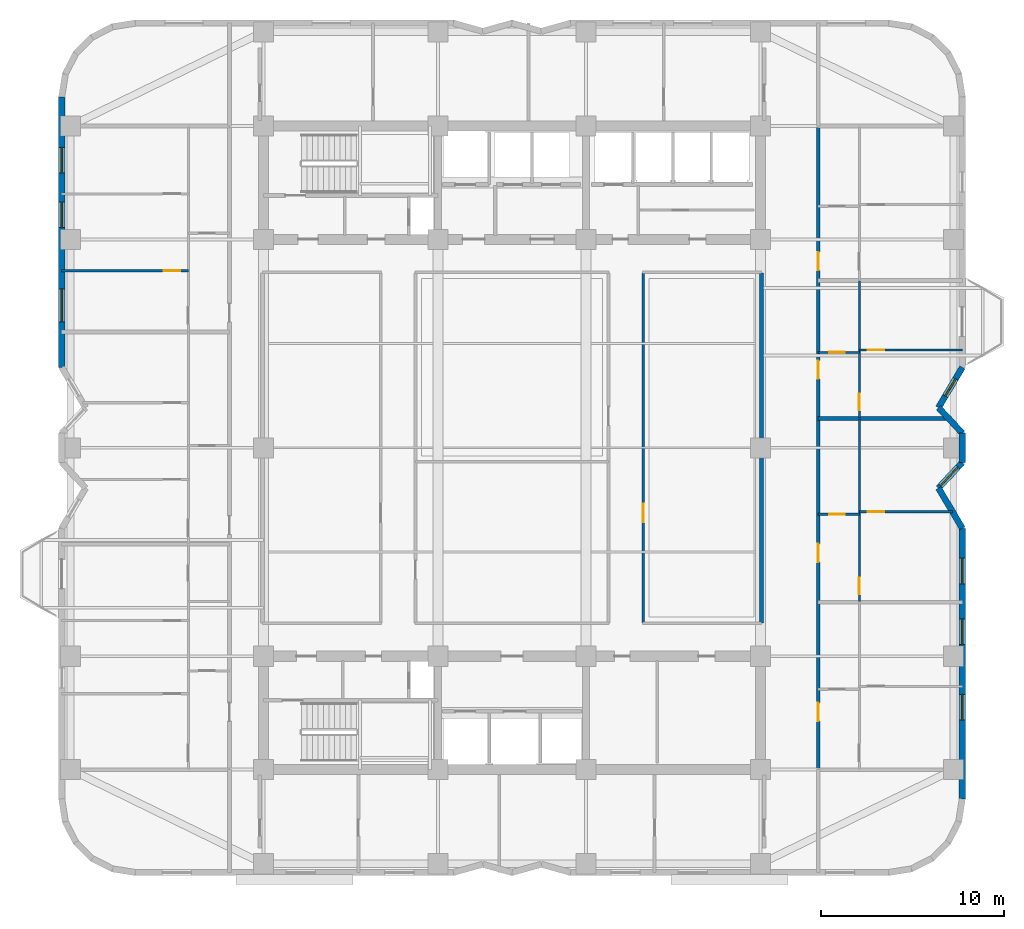
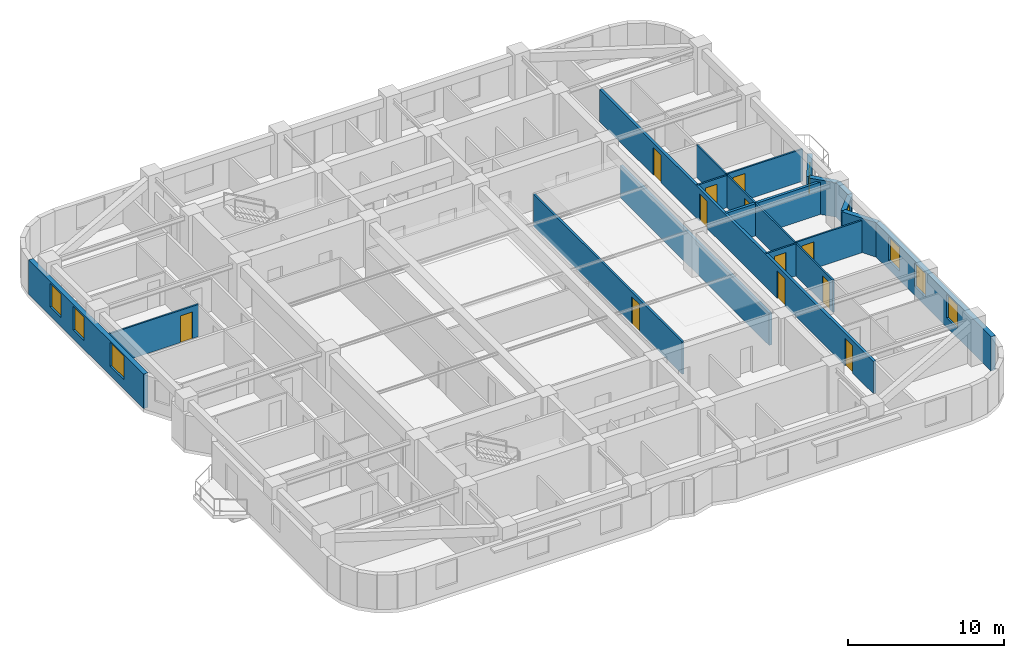
# One storey, part 5 of 11: 18 walls, 12 doors, 8 windows, 20 openings.
"""IFC4 building model written with IfcOpenShell, lengths in metres."""

from ifc_helpers import new_model, si_unit, direction, frame, frame_2d, origin, place, context, subcontext, project, spatial, rectangle, extrude, material, layer, layer_set, type_object, element, fill, save


model = new_model("IFC4")

# Units and contexts
model_context = context("Model", 3, precision=1e-05, world=origin(), true_north=direction((0.0, 1.0)))
body_context = subcontext(model_context, "Body", "Model", "MODEL_VIEW")
ifc_project = project(units=[si_unit("LENGTHUNIT", "METRE"), si_unit("AREAUNIT", "SQUARE_METRE"), si_unit("VOLUMEUNIT", "CUBIC_METRE"), si_unit("PLANEANGLEUNIT", "RADIAN"), si_unit("MASSUNIT", "GRAM", prefix="KILO")], contexts=[model_context])

# Site, building, storey
site_placement = place(None, origin())
site = spatial("IfcSite", under=ifc_project, at=site_placement, CompositionType="ELEMENT")
building_placement = place(site_placement, origin())
building = spatial("IfcBuilding", under=site, at=building_placement, Name="Svetorya Sky Lyceum", CompositionType="ELEMENT")
storey_placement = place(building_placement, frame((0.0, 0.0, 106.800048828125)))
storey = spatial("IfcBuildingStorey", under=building, at=storey_placement, Name="L26", CompositionType="ELEMENT", Elevation=106.800048828125)

# Wall, openings, windows
ifc_material_1 = material(Name="Putilovo limestone rainscreen on autoclaved cellular masonry", Category="masonry")
ifc_layer_1 = layer(ifc_material_1, 0.340087890625)
ifc_layer_set_1 = layer_set([ifc_layer_1], Name="Putilovo limestone rainscreen on autoclaved cellular masonry")
wall_type_1 = type_object("IfcWallType", Name="WL-EXT-340", PredefinedType="SOLIDWALL", material=ifc_layer_set_1)
wall_1_placement = place(storey_placement, frame((63.830078125, 9.0, 0.0), z_axis=(0.0, 0.0, 1.0), x_axis=(0.0, 1.0, 0.0)))
wall_1 = element("IfcWall", 1, at=wall_1_placement, inside=storey, type_object=wall_type_1, Name="L26 Limestone Exterior Wall 17M", PredefinedType="SOLIDWALL", context=body_context, shape_type="SweptSolid", body=[
    extrude(rectangle(XDim=14.800048828125, YDim=0.340087890625, at=frame_2d((7.39990234375, 0.0))), origin(), (0.0, 0.0, 1.0), 2.699951171875),
])
opening_1_placement = place(wall_1_placement, frame((4.3125, 0.0, 0.72998046875)))
opening_1 = element("IfcOpeningElement", 2, at=opening_1_placement, cuts=wall_1, Name="Opening W-R2", PredefinedType="OPENING", context=body_context, shape_type="SweptSolid", body=[
    extrude(rectangle(XDim=1.39990234375, YDim=1.85009765625, at=frame_2d((0.699951171875, 0.925048828125))), frame((0.0, 0.179931640625, 0.0), z_axis=(0.0, -1.0, 0.0), x_axis=(1.0, 0.0, 0.0)), (0.0, 0.0, 1.0), 0.360107421875),
])
opening_2_placement = place(wall_1_placement, frame((8.43994140625, 0.0, 0.68994140625)))
opening_2 = element("IfcOpeningElement", 3, at=opening_2_placement, cuts=wall_1, Name="Opening W-R2", PredefinedType="OPENING", context=body_context, shape_type="SweptSolid", body=[
    extrude(rectangle(XDim=1.39990234375, YDim=1.85009765625, at=frame_2d((0.699951171875, 0.925048828125))), frame((0.0, 0.179931640625, 0.0), z_axis=(0.0, -1.0, 0.0), x_axis=(1.0, 0.0, 0.0)), (0.0, 0.0, 1.0), 0.360107421875),
])
opening_3_placement = place(wall_1_placement, frame((11.762451171875, 0.0, 0.72998046875)))
opening_3 = element("IfcOpeningElement", 4, at=opening_3_placement, cuts=wall_1, Name="Opening W-R2", PredefinedType="OPENING", context=body_context, shape_type="SweptSolid", body=[
    extrude(rectangle(XDim=1.39990234375, YDim=1.85009765625, at=frame_2d((0.699951171875, 0.925048828125))), frame((0.0, 0.179931640625, 0.0), z_axis=(0.0, -1.0, 0.0), x_axis=(1.0, 0.0, 0.0)), (0.0, 0.0, 1.0), 0.360107421875),
])
ifc_material_2 = material(Name="Thermally broken aluminium frame with triple low-E glazing", Category="aluminium")
window_type_1 = type_object("IfcWindowType", Name="WN-RES-140", PartitioningType="SINGLE_PANEL", PredefinedType="WINDOW", material=ifc_material_2)
window_1_placement = place(opening_1_placement, origin())
window_1 = element("IfcWindow", 5, at=window_1_placement, inside=storey, type_object=window_type_1, Name="L26 Facade Window W-R2.17M.1", OverallHeight=1.85009765625, OverallWidth=1.39990234375, PartitioningType="SINGLE_PANEL", PredefinedType="WINDOW", context=body_context, shape_type="SweptSolid", body=[
    extrude(rectangle(XDim=1.39990234375, YDim=1.85009765625, at=frame_2d((0.699951171875, 0.925048828125))), frame((0.0, 0.030029296875, 0.0), z_axis=(0.0, -1.0, 0.0), x_axis=(1.0, 0.0, 0.0)), (0.0, 0.0, 1.0), 0.06005859375),
])
fill(opening_1, window_1)
window_2_placement = place(opening_2_placement, origin())
window_2 = element("IfcWindow", 6, at=window_2_placement, inside=storey, type_object=window_type_1, Name="L26 Facade Window W-R2.17M.3", OverallHeight=1.85009765625, OverallWidth=1.39990234375, PartitioningType="SINGLE_PANEL", PredefinedType="WINDOW", context=body_context, shape_type="SweptSolid", body=[
    extrude(rectangle(XDim=1.39990234375, YDim=1.85009765625, at=frame_2d((0.699951171875, 0.925048828125))), frame((0.0, 0.030029296875, 0.0), z_axis=(0.0, -1.0, 0.0), x_axis=(1.0, 0.0, 0.0)), (0.0, 0.0, 1.0), 0.06005859375),
])
fill(opening_2, window_2)
window_3_placement = place(opening_3_placement, origin())
window_3 = element("IfcWindow", 7, at=window_3_placement, inside=storey, type_object=window_type_1, Name="L26 Facade Window W-R2.17M.2", OverallHeight=1.85009765625, OverallWidth=1.39990234375, PartitioningType="SINGLE_PANEL", PredefinedType="WINDOW", context=body_context, shape_type="SweptSolid", body=[
    extrude(rectangle(XDim=1.39990234375, YDim=1.85009765625, at=frame_2d((0.699951171875, 0.925048828125))), frame((0.0, 0.030029296875, 0.0), z_axis=(0.0, -1.0, 0.0), x_axis=(1.0, 0.0, 0.0)), (0.0, 0.0, 1.0), 0.06005859375),
])
fill(opening_3, window_3)

# Wall
wall_2_placement = place(storey_placement, frame((63.830078125, 23.800048828125, 0.0), z_axis=(0.0, 0.0, 1.0), x_axis=(-0.508751843651, 0.860913213734, 0.0)))
element("IfcWall", 8, at=wall_2_placement, inside=storey, type_object=wall_type_1, Name="L26 Limestone Exterior Wall 18M", PredefinedType="SOLIDWALL", context=body_context, shape_type="SweptSolid", body=[
    extrude(rectangle(XDim=2.555419921875, YDim=0.340087890625, at=frame_2d((1.27783203125, 0.0))), origin(), (0.0, 0.0, 1.0), 2.699951171875),
])

# Wall, opening, window
wall_3_placement = place(storey_placement, frame((62.530029296875, 26.0, 0.0), z_axis=(0.0, 0.0, 1.0), x_axis=(0.68049031116, 0.732757078722, 0.0)))
wall_3 = element("IfcWall", 9, at=wall_3_placement, inside=storey, type_object=wall_type_1, Name="L26 Limestone Exterior Wall 19M", PredefinedType="SOLIDWALL", context=body_context, shape_type="SweptSolid", body=[
    extrude(rectangle(XDim=1.910400390625, YDim=0.340087890625, at=frame_2d((0.955078125, 0.0))), origin(), (0.0, 0.0, 1.0), 2.699951171875),
])
opening_4_placement = place(wall_3_placement, frame((0.159912109375, 0.0, 0.68994140625)))
opening_4 = element("IfcOpeningElement", 10, at=opening_4_placement, cuts=wall_3, Name="Opening W-R2", PredefinedType="OPENING", context=body_context, shape_type="SweptSolid", body=[
    extrude(rectangle(XDim=1.39990234375, YDim=1.85009765625, at=frame_2d((0.699951171875, 0.925048828125))), frame((0.0, 0.179931640625, 0.0), z_axis=(0.0, -1.0, 0.0), x_axis=(1.0, 0.0, 0.0)), (0.0, 0.0, 1.0), 0.360107421875),
])
window_4_placement = place(opening_4_placement, origin())
window_4 = element("IfcWindow", 11, at=window_4_placement, inside=storey, type_object=window_type_1, Name="L26 Facade Window W-R2.19M.1", OverallHeight=1.85009765625, OverallWidth=1.39990234375, PartitioningType="SINGLE_PANEL", PredefinedType="WINDOW", context=body_context, shape_type="SweptSolid", body=[
    extrude(rectangle(XDim=1.39990234375, YDim=1.85009765625, at=frame_2d((0.699951171875, 0.925048828125))), frame((0.0, 0.030029296875, 0.0), z_axis=(0.0, -1.0, 0.0), x_axis=(1.0, 0.0, 0.0)), (0.0, 0.0, 1.0), 0.06005859375),
])
fill(opening_4, window_4)

# Walls
wall_4_placement = place(storey_placement, frame((63.830078125, 27.39990234375, 0.0), z_axis=(0.0, 0.0, 1.0), x_axis=(0.0, 1.0, 0.0)))
element("IfcWall", 12, at=wall_4_placement, inside=storey, type_object=wall_type_1, Name="L26 Limestone Exterior Wall 20M", PredefinedType="SOLIDWALL", context=body_context, shape_type="SweptSolid", body=[
    extrude(rectangle(XDim=1.60009765625, YDim=0.340087890625, at=frame_2d((0.800048828125, 0.0))), origin(), (0.0, 0.0, 1.0), 2.699951171875),
])
wall_5_placement = place(storey_placement, frame((63.830078125, 29.0, 0.0), z_axis=(0.0, 0.0, 1.0), x_axis=(-0.68049031116, 0.732757078722, 0.0)))
element("IfcWall", 13, at=wall_5_placement, inside=storey, type_object=wall_type_1, Name="L26 Limestone Exterior Wall 21M", PredefinedType="SOLIDWALL", context=body_context, shape_type="SweptSolid", body=[
    extrude(rectangle(XDim=1.910400390625, YDim=0.340087890625, at=frame_2d((0.955078125, 0.0))), origin(), (0.0, 0.0, 1.0), 2.699951171875),
])

# Wall, opening, window
wall_6_placement = place(storey_placement, frame((62.530029296875, 30.39990234375, 0.0), z_axis=(0.0, 0.0, 1.0), x_axis=(0.508710000703, 0.860937939218, 0.0)))
wall_6 = element("IfcWall", 14, at=wall_6_placement, inside=storey, type_object=wall_type_1, Name="L26 Limestone Exterior Wall 22M", PredefinedType="SOLIDWALL", context=body_context, shape_type="SweptSolid", body=[
    extrude(rectangle(XDim=2.5556640625, YDim=0.340087890625, at=frame_2d((1.27783203125, 0.0))), origin(), (0.0, 0.0, 1.0), 2.699951171875),
])
opening_5_placement = place(wall_6_placement, frame((0.727783203125, 0.0, 0.889892578125)))
opening_5 = element("IfcOpeningElement", 15, at=opening_5_placement, cuts=wall_6, Name="Opening W-R3", PredefinedType="OPENING", context=body_context, shape_type="SweptSolid", body=[
    extrude(rectangle(XDim=1.10009765625, YDim=1.64990234375, at=frame_2d((0.550048828125, 0.824951171875))), frame((0.0, 0.179931640625, 0.0), z_axis=(0.0, -1.0, 0.0), x_axis=(1.0, 0.0, 0.0)), (0.0, 0.0, 1.0), 0.360107421875),
])
window_type_2 = type_object("IfcWindowType", Name="WN-RES-110", PartitioningType="SINGLE_PANEL", PredefinedType="WINDOW", material=ifc_material_2)
window_5_placement = place(opening_5_placement, origin())
window_5 = element("IfcWindow", 16, at=window_5_placement, inside=storey, type_object=window_type_2, Name="L26 Facade Window W-R3.22M.1", OverallHeight=1.64990234375, OverallWidth=1.10009765625, PartitioningType="SINGLE_PANEL", PredefinedType="WINDOW", context=body_context, shape_type="SweptSolid", body=[
    extrude(rectangle(XDim=1.10009765625, YDim=1.64990234375, at=frame_2d((0.550048828125, 0.824951171875))), frame((0.0, 0.030029296875, 0.0), z_axis=(0.0, -1.0, 0.0), x_axis=(1.0, 0.0, 0.0)), (0.0, 0.0, 1.0), 0.06005859375),
])
fill(opening_5, window_5)

# Wall, openings, windows
wall_7_placement = place(storey_placement, frame((14.570068359375, 47.39990234375, 0.0), z_axis=(0.0, 0.0, 1.0), x_axis=(0.0, -1.0, 0.0)))
wall_7 = element("IfcWall", 17, at=wall_7_placement, inside=storey, type_object=wall_type_1, Name="L26 Limestone Exterior Wall 40M", PredefinedType="SOLIDWALL", context=body_context, shape_type="SweptSolid", body=[
    extrude(rectangle(XDim=14.7998046875, YDim=0.340087890625, at=frame_2d((7.39990234375, 0.0))), origin(), (0.0, 0.0, 1.0), 2.699951171875),
])
opening_6_placement = place(wall_7_placement, frame((2.760009765625, 0.0, 0.68994140625)))
opening_6 = element("IfcOpeningElement", 18, at=opening_6_placement, cuts=wall_7, Name="Opening W-R2", PredefinedType="OPENING", context=body_context, shape_type="SweptSolid", body=[
    extrude(rectangle(XDim=1.39990234375, YDim=1.85009765625, at=frame_2d((0.699951171875, 0.925048828125))), frame((0.0, 0.179931640625, 0.0), z_axis=(0.0, -1.0, 0.0), x_axis=(1.0, 0.0, 0.0)), (0.0, 0.0, 1.0), 0.360107421875),
])
opening_7_placement = place(wall_7_placement, frame((5.760009765625, 0.0, 0.68994140625)))
opening_7 = element("IfcOpeningElement", 19, at=opening_7_placement, cuts=wall_7, Name="Opening W-R2", PredefinedType="OPENING", context=body_context, shape_type="SweptSolid", body=[
    extrude(rectangle(XDim=1.39990234375, YDim=1.85009765625, at=frame_2d((0.699951171875, 0.925048828125))), frame((0.0, 0.179931640625, 0.0), z_axis=(0.0, -1.0, 0.0), x_axis=(1.0, 0.0, 0.0)), (0.0, 0.0, 1.0), 0.360107421875),
])
opening_8_placement = place(wall_7_placement, frame((10.512451171875, 0.0, 0.72998046875)))
opening_8 = element("IfcOpeningElement", 20, at=opening_8_placement, cuts=wall_7, Name="Opening W-R1", PredefinedType="OPENING", context=body_context, shape_type="SweptSolid", body=[
    extrude(rectangle(XDim=1.800048828125, YDim=1.85009765625, at=frame_2d((0.89990234375, 0.925048828125))), frame((0.0, 0.179931640625, 0.0), z_axis=(0.0, -1.0, 0.0), x_axis=(1.0, 0.0, 0.0)), (0.0, 0.0, 1.0), 0.360107421875),
])
window_6_placement = place(opening_6_placement, origin())
window_6 = element("IfcWindow", 21, at=window_6_placement, inside=storey, type_object=window_type_1, Name="L26 Facade Window W-R2.40M.3", OverallHeight=1.85009765625, OverallWidth=1.39990234375, PartitioningType="SINGLE_PANEL", PredefinedType="WINDOW", context=body_context, shape_type="SweptSolid", body=[
    extrude(rectangle(XDim=1.39990234375, YDim=1.85009765625, at=frame_2d((0.699951171875, 0.925048828125))), frame((0.0, 0.030029296875, 0.0), z_axis=(0.0, -1.0, 0.0), x_axis=(1.0, 0.0, 0.0)), (0.0, 0.0, 1.0), 0.06005859375),
])
fill(opening_6, window_6)
window_7_placement = place(opening_7_placement, origin())
window_7 = element("IfcWindow", 22, at=window_7_placement, inside=storey, type_object=window_type_1, Name="L26 Facade Window W-R2.40M.2", OverallHeight=1.85009765625, OverallWidth=1.39990234375, PartitioningType="SINGLE_PANEL", PredefinedType="WINDOW", context=body_context, shape_type="SweptSolid", body=[
    extrude(rectangle(XDim=1.39990234375, YDim=1.85009765625, at=frame_2d((0.699951171875, 0.925048828125))), frame((0.0, 0.030029296875, 0.0), z_axis=(0.0, -1.0, 0.0), x_axis=(1.0, 0.0, 0.0)), (0.0, 0.0, 1.0), 0.06005859375),
])
fill(opening_7, window_7)
window_type_3 = type_object("IfcWindowType", Name="WN-RES-180", PartitioningType="DOUBLE_PANEL_VERTICAL", PredefinedType="WINDOW", material=ifc_material_2)
window_8_placement = place(opening_8_placement, origin())
window_8 = element("IfcWindow", 23, at=window_8_placement, inside=storey, type_object=window_type_3, Name="L26 Facade Window W-R1.40M.1", OverallHeight=1.85009765625, OverallWidth=1.800048828125, PartitioningType="SINGLE_PANEL", PredefinedType="WINDOW", context=body_context, shape_type="SweptSolid", body=[
    extrude(rectangle(XDim=1.800048828125, YDim=1.85009765625, at=frame_2d((0.89990234375, 0.925048828125))), frame((0.0, 0.030029296875, 0.0), z_axis=(0.0, -1.0, 0.0), x_axis=(1.0, 0.0, 0.0)), (0.0, 0.0, 1.0), 0.06005859375),
])
fill(opening_8, window_8)

# Wall, opening, door
ifc_material_3 = material(Name="Twin-stud galvanized framing with double fireboard", Category="gypsum")
ifc_layer_2 = layer(ifc_material_3, 0.1201171875)
ifc_layer_set_2 = layer_set([ifc_layer_2], Name="Twin-stud galvanized framing with double fireboard")
wall_type_2 = type_object("IfcWallType", Name="WL-PART-120", PredefinedType="PARTITIONING", material=ifc_layer_set_2)
wall_8_placement = place(storey_placement, frame((14.570068359375, 37.885986328125, 0.0), z_axis=(0.0, 0.0, 1.0), x_axis=(1.0, 0.0, 0.0)))
wall_8 = element("IfcWall", 24, at=wall_8_placement, inside=storey, type_object=wall_type_2, Name="L26 Interior Partition W3-WL1", PredefinedType="PARTITIONING", context=body_context, shape_type="SweptSolid", body=[
    extrude(rectangle(XDim=6.929931640625, YDim=0.1201171875, at=frame_2d((3.46484375, 0.0))), origin(), (0.0, 0.0, 1.0), 2.530029296875),
])
opening_9_placement = place(wall_8_placement, frame((5.580078125, 0.0, 0.0)))
opening_9 = element("IfcOpeningElement", 25, at=opening_9_placement, cuts=wall_8, Name="Opening D-RM1", PredefinedType="OPENING", context=body_context, shape_type="SweptSolid", body=[
    extrude(rectangle(XDim=0.89990234375, YDim=2.10009765625, at=frame_2d((0.449951171875, 1.050048828125))), frame((0.0, 0.070068359375, 0.0), z_axis=(0.0, -1.0, 0.0), x_axis=(1.0, 0.0, 0.0)), (0.0, 0.0, 1.0), 0.14013671875),
])
ifc_material_4 = material(Name="Lacquered birch veneer internal door")
door_type_1 = type_object("IfcDoorType", Name="DR-INT-900", OperationType="SINGLE_SWING_LEFT", PredefinedType="DOOR", material=ifc_material_4)
door_1_placement = place(opening_9_placement, origin())
door_1 = element("IfcDoor", 26, at=door_1_placement, inside=storey, type_object=door_type_1, Name="Apartment W3 Master Bedroom Door", OperationType="SINGLE_SWING_LEFT", OverallHeight=2.10009765625, OverallWidth=0.89990234375, PredefinedType="DOOR", context=body_context, shape_type="SweptSolid", body=[
    extrude(rectangle(XDim=0.89990234375, YDim=2.10009765625, at=frame_2d((0.449951171875, 1.050048828125))), frame((0.0, 0.02490234375, 0.0), z_axis=(0.0, -1.0, 0.0), x_axis=(1.0, 0.0, 0.0)), (0.0, 0.0, 1.0), 0.050048828125),
])
fill(opening_9, door_1)

wall_9_placement = place(storey_placement, frame((55.949951171875, 24.572021484375, 0.0), z_axis=(0.0, 0.0, 1.0), x_axis=(1.0, 0.0, 0.0)))
wall_9 = element("IfcWall", 27, at=wall_9_placement, inside=storey, type_object=wall_type_2, Name="L26 Interior Partition E2-WH1", PredefinedType="PARTITIONING", context=body_context, shape_type="SweptSolid", body=[
    extrude(rectangle(XDim=2.25, YDim=0.1201171875, at=frame_2d((1.125, 0.0))), origin(), (0.0, 0.0, 1.0), 2.530029296875),
])
opening_10_placement = place(wall_9_placement, frame((0.60009765625, 0.0, 0.0)))
opening_10 = element("IfcOpeningElement", 28, at=opening_10_placement, cuts=wall_9, Name="Opening D-BT1", PredefinedType="OPENING", context=body_context, shape_type="SweptSolid", body=[
    extrude(rectangle(XDim=0.85009765625, YDim=2.10009765625, at=frame_2d((0.425048828125, 1.050048828125))), frame((0.0, 0.070068359375, 0.0), z_axis=(0.0, -1.0, 0.0), x_axis=(1.0, 0.0, 0.0)), (0.0, 0.0, 1.0), 0.14013671875),
])
ifc_material_5 = material(Name="Moisture-resistant laminate bathroom door")
door_type_2 = type_object("IfcDoorType", Name="DR-WET-850", OperationType="SINGLE_SWING_LEFT", PredefinedType="DOOR", material=ifc_material_5)
door_2_placement = place(opening_10_placement, origin())
door_2 = element("IfcDoor", 29, at=door_2_placement, inside=storey, type_object=door_type_2, Name="Apartment E2 Bathroom Door", OperationType="SINGLE_SWING_LEFT", OverallHeight=2.10009765625, OverallWidth=0.85009765625, PredefinedType="DOOR", context=body_context, shape_type="SweptSolid", body=[
    extrude(rectangle(XDim=0.85009765625, YDim=2.10009765625, at=frame_2d((0.425048828125, 1.050048828125))), frame((0.0, 0.02490234375, 0.0), z_axis=(0.0, -1.0, 0.0), x_axis=(1.0, 0.0, 0.0)), (0.0, 0.0, 1.0), 0.050048828125),
])
fill(opening_10, door_2)

wall_10_placement = place(storey_placement, frame((58.199951171875, 24.701904296875, 0.0), z_axis=(0.0, 0.0, 1.0), x_axis=(1.0, 0.0, 0.0)))
wall_10 = element("IfcWall", 30, at=wall_10_placement, inside=storey, type_object=wall_type_2, Name="L26 Interior Partition E2-WL1", PredefinedType="PARTITIONING", context=body_context, shape_type="SweptSolid", body=[
    extrude(rectangle(XDim=5.09716796875, YDim=0.1201171875, at=frame_2d((2.548583984375, 0.0))), origin(), (0.0, 0.0, 1.0), 2.530029296875),
])
opening_11_placement = place(wall_10_placement, frame((0.449951171875, 0.0, 0.0)))
opening_11 = element("IfcOpeningElement", 31, at=opening_11_placement, cuts=wall_10, Name="Opening D-RM1", PredefinedType="OPENING", context=body_context, shape_type="SweptSolid", body=[
    extrude(rectangle(XDim=0.89990234375, YDim=2.10009765625, at=frame_2d((0.449951171875, 1.050048828125))), frame((0.0, 0.070068359375, 0.0), z_axis=(0.0, -1.0, 0.0), x_axis=(1.0, 0.0, 0.0)), (0.0, 0.0, 1.0), 0.14013671875),
])
door_3_placement = place(opening_11_placement, origin())
door_3 = element("IfcDoor", 32, at=door_3_placement, inside=storey, type_object=door_type_1, Name="Apartment E2 Bedroom 1 Door", OperationType="SINGLE_SWING_LEFT", OverallHeight=2.10009765625, OverallWidth=0.89990234375, PredefinedType="DOOR", context=body_context, shape_type="SweptSolid", body=[
    extrude(rectangle(XDim=0.89990234375, YDim=2.10009765625, at=frame_2d((0.449951171875, 1.050048828125))), frame((0.0, 0.02490234375, 0.0), z_axis=(0.0, -1.0, 0.0), x_axis=(1.0, 0.0, 0.0)), (0.0, 0.0, 1.0), 0.050048828125),
])
fill(opening_11, door_3)

wall_11_placement = place(storey_placement, frame((58.199951171875, 19.7919921875, 0.0), z_axis=(0.0, 0.0, 1.0), x_axis=(0.0, 1.0, 0.0)))
wall_11 = element("IfcWall", 33, at=wall_11_placement, inside=storey, type_object=wall_type_2, Name="L26 Interior Partition E2-WV", PredefinedType="PARTITIONING", context=body_context, shape_type="SweptSolid", body=[
    extrude(rectangle(XDim=9.968017578125, YDim=0.1201171875, at=frame_2d((4.98388671875, 0.0))), origin(), (0.0, 0.0, 1.0), 2.530029296875),
])
opening_12_placement = place(wall_11_placement, frame((0.409912109375, 0.0, 0.0)))
opening_12 = element("IfcOpeningElement", 34, at=opening_12_placement, cuts=wall_11, Name="Opening D-RM1", PredefinedType="OPENING", context=body_context, shape_type="SweptSolid", body=[
    extrude(rectangle(XDim=0.89990234375, YDim=2.10009765625, at=frame_2d((0.449951171875, 1.050048828125))), frame((0.0, 0.070068359375, 0.0), z_axis=(0.0, -1.0, 0.0), x_axis=(1.0, 0.0, 0.0)), (0.0, 0.0, 1.0), 0.14013671875),
])
door_4_placement = place(opening_12_placement, origin())
door_4 = element("IfcDoor", 35, at=door_4_placement, inside=storey, type_object=door_type_1, Name="Apartment E2 Living Door", OperationType="SINGLE_SWING_RIGHT", OverallHeight=2.10009765625, OverallWidth=0.89990234375, PredefinedType="DOOR", context=body_context, shape_type="SweptSolid", body=[
    extrude(rectangle(XDim=0.89990234375, YDim=2.10009765625, at=frame_2d((0.449951171875, 1.050048828125))), frame((0.0, 0.02490234375, 0.0), z_axis=(0.0, -1.0, 0.0), x_axis=(1.0, 0.0, 0.0)), (0.0, 0.0, 1.0), 0.050048828125),
])
fill(opening_12, door_4)

wall_12_placement = place(storey_placement, frame((55.949951171875, 33.419921875, 0.0), z_axis=(0.0, 0.0, 1.0), x_axis=(1.0, 0.0, 0.0)))
wall_12 = element("IfcWall", 36, at=wall_12_placement, inside=storey, type_object=wall_type_2, Name="L26 Interior Partition E3-WH1", PredefinedType="PARTITIONING", context=body_context, shape_type="SweptSolid", body=[
    extrude(rectangle(XDim=2.25, YDim=0.1201171875, at=frame_2d((1.125, 0.0))), origin(), (0.0, 0.0, 1.0), 2.530029296875),
])
opening_13_placement = place(wall_12_placement, frame((0.60009765625, 0.0, 0.0)))
opening_13 = element("IfcOpeningElement", 37, at=opening_13_placement, cuts=wall_12, Name="Opening D-BT1", PredefinedType="OPENING", context=body_context, shape_type="SweptSolid", body=[
    extrude(rectangle(XDim=0.85009765625, YDim=2.10009765625, at=frame_2d((0.425048828125, 1.050048828125))), frame((0.0, 0.070068359375, 0.0), z_axis=(0.0, -1.0, 0.0), x_axis=(1.0, 0.0, 0.0)), (0.0, 0.0, 1.0), 0.14013671875),
])
door_5_placement = place(opening_13_placement, origin())
door_5 = element("IfcDoor", 38, at=door_5_placement, inside=storey, type_object=door_type_2, Name="Apartment E3 Bathroom Door", OperationType="SINGLE_SWING_RIGHT", OverallHeight=2.10009765625, OverallWidth=0.85009765625, PredefinedType="DOOR", context=body_context, shape_type="SweptSolid", body=[
    extrude(rectangle(XDim=0.85009765625, YDim=2.10009765625, at=frame_2d((0.425048828125, 1.050048828125))), frame((0.0, 0.02490234375, 0.0), z_axis=(0.0, -1.0, 0.0), x_axis=(1.0, 0.0, 0.0)), (0.0, 0.0, 1.0), 0.050048828125),
])
fill(opening_13, door_5)

wall_13_placement = place(storey_placement, frame((58.199951171875, 33.550048828125, 0.0), z_axis=(0.0, 0.0, 1.0), x_axis=(1.0, 0.0, 0.0)))
wall_13 = element("IfcWall", 39, at=wall_13_placement, inside=storey, type_object=wall_type_2, Name="L26 Interior Partition E3-WL1", PredefinedType="PARTITIONING", context=body_context, shape_type="SweptSolid", body=[
    extrude(rectangle(XDim=5.630126953125, YDim=0.1201171875, at=frame_2d((2.81494140625, 0.0))), origin(), (0.0, 0.0, 1.0), 2.530029296875),
])
opening_14_placement = place(wall_13_placement, frame((0.449951171875, 0.0, 0.0)))
opening_14 = element("IfcOpeningElement", 40, at=opening_14_placement, cuts=wall_13, Name="Opening D-RM1", PredefinedType="OPENING", context=body_context, shape_type="SweptSolid", body=[
    extrude(rectangle(XDim=0.89990234375, YDim=2.10009765625, at=frame_2d((0.449951171875, 1.050048828125))), frame((0.0, 0.070068359375, 0.0), z_axis=(0.0, -1.0, 0.0), x_axis=(1.0, 0.0, 0.0)), (0.0, 0.0, 1.0), 0.14013671875),
])
door_6_placement = place(opening_14_placement, origin())
door_6 = element("IfcDoor", 41, at=door_6_placement, inside=storey, type_object=door_type_1, Name="Apartment E3 Bedroom 1 Door", OperationType="SINGLE_SWING_RIGHT", OverallHeight=2.10009765625, OverallWidth=0.89990234375, PredefinedType="DOOR", context=body_context, shape_type="SweptSolid", body=[
    extrude(rectangle(XDim=0.89990234375, YDim=2.10009765625, at=frame_2d((0.449951171875, 1.050048828125))), frame((0.0, 0.02490234375, 0.0), z_axis=(0.0, -1.0, 0.0), x_axis=(1.0, 0.0, 0.0)), (0.0, 0.0, 1.0), 0.050048828125),
])
fill(opening_14, door_6)

wall_14_placement = place(storey_placement, frame((58.199951171875, 29.840087890625, 0.0), z_axis=(0.0, 0.0, 1.0), x_axis=(0.0, 1.0, 0.0)))
wall_14 = element("IfcWall", 42, at=wall_14_placement, inside=storey, type_object=wall_type_2, Name="L26 Interior Partition E3-WV", PredefinedType="PARTITIONING", context=body_context, shape_type="SweptSolid", body=[
    extrude(rectangle(XDim=7.471923828125, YDim=0.1201171875, at=frame_2d((3.73583984375, 0.0))), origin(), (0.0, 0.0, 1.0), 2.530029296875),
])
opening_15_placement = place(wall_14_placement, frame((0.409912109375, 0.0, 0.0)))
opening_15 = element("IfcOpeningElement", 43, at=opening_15_placement, cuts=wall_14, Name="Opening D-RM1", PredefinedType="OPENING", context=body_context, shape_type="SweptSolid", body=[
    extrude(rectangle(XDim=0.89990234375, YDim=2.10009765625, at=frame_2d((0.449951171875, 1.050048828125))), frame((0.0, 0.070068359375, 0.0), z_axis=(0.0, -1.0, 0.0), x_axis=(1.0, 0.0, 0.0)), (0.0, 0.0, 1.0), 0.14013671875),
])
door_7_placement = place(opening_15_placement, origin())
door_7 = element("IfcDoor", 44, at=door_7_placement, inside=storey, type_object=door_type_1, Name="Apartment E3 Living Door", OperationType="SINGLE_SWING_LEFT", OverallHeight=2.10009765625, OverallWidth=0.89990234375, PredefinedType="DOOR", context=body_context, shape_type="SweptSolid", body=[
    extrude(rectangle(XDim=0.89990234375, YDim=2.10009765625, at=frame_2d((0.449951171875, 1.050048828125))), frame((0.0, 0.02490234375, 0.0), z_axis=(0.0, -1.0, 0.0), x_axis=(1.0, 0.0, 0.0)), (0.0, 0.0, 1.0), 0.050048828125),
])
fill(opening_15, door_7)

ifc_material_6 = material(Name="Autoclaved cellular masonry blockwork with acoustic render", Category="masonry")
ifc_layer_3 = layer(ifc_material_6, 0.14990234375)
ifc_layer_set_3 = layer_set([ifc_layer_3], Name="Autoclaved cellular masonry blockwork with acoustic render")
wall_type_3 = type_object("IfcWallType", Name="WL-PART-150", PredefinedType="PARTITIONING", material=ifc_layer_set_3)
wall_15_placement = place(storey_placement, frame((46.3798828125, 18.6298828125, 0.0), z_axis=(0.0, 0.0, 1.0), x_axis=(0.0, 1.0, 0.0)))
wall_15 = element("IfcWall", 45, at=wall_15_placement, inside=storey, type_object=wall_type_3, Name="L26 Interior Partition ISL-EE", PredefinedType="PARTITIONING", context=body_context, shape_type="SweptSolid", body=[
    extrude(rectangle(XDim=19.14013671875, YDim=0.14990234375, at=frame_2d((9.570068359375, 0.0))), origin(), (0.0, 0.0, 1.0), 2.530029296875),
])
opening_16_placement = place(wall_15_placement, frame((5.5, 0.0, 0.0)))
opening_16 = element("IfcOpeningElement", 46, at=opening_16_placement, cuts=wall_15, Name="Opening D-RM2", PredefinedType="OPENING", context=body_context, shape_type="SweptSolid", body=[
    extrude(rectangle(XDim=1.0, YDim=2.14990234375, at=frame_2d((0.5, 1.074951171875))), frame((0.0, 0.0849609375, 0.0), z_axis=(0.0, -1.0, 0.0), x_axis=(1.0, 0.0, 0.0)), (0.0, 0.0, 1.0), 0.169921875),
])
ifc_material_7 = material(Name="Solid-core oak acoustic room door")
door_type_3 = type_object("IfcDoorType", Name="DR-INT-1000", OperationType="SINGLE_SWING_LEFT", PredefinedType="DOOR", material=ifc_material_7)
door_8_placement = place(opening_16_placement, origin())
door_8 = element("IfcDoor", 47, at=door_8_placement, inside=storey, type_object=door_type_3, Name="L26 East Lounge Door", OperationType="SINGLE_SWING_RIGHT", OverallHeight=2.14990234375, OverallWidth=1.0, PredefinedType="DOOR", context=body_context, shape_type="SweptSolid", body=[
    extrude(rectangle(XDim=1.0, YDim=2.14990234375, at=frame_2d((0.5, 1.074951171875))), frame((0.0, 0.02490234375, 0.0), z_axis=(0.0, -1.0, 0.0), x_axis=(1.0, 0.0, 0.0)), (0.0, 0.0, 1.0), 0.050048828125),
])
fill(opening_16, door_8)

# Walls
ifc_material_8 = material(Name="Autoclaved cellular masonry blockwork with gypsum plaster", Category="masonry")
ifc_layer_4 = layer(ifc_material_8, 0.199951171875)
ifc_layer_set_4 = layer_set([ifc_layer_4], Name="Autoclaved cellular masonry blockwork with gypsum plaster")
wall_type_4 = type_object("IfcWallType", Name="WL-PART-200", PredefinedType="PARTITIONING", material=ifc_layer_set_4)
wall_16_placement = place(storey_placement, frame((52.85009765625, 18.6298828125, 0.0), z_axis=(0.0, 0.0, 1.0), x_axis=(0.0, 1.0, 0.0)))
element("IfcWall", 48, at=wall_16_placement, inside=storey, type_object=wall_type_4, Name="L26 Interior Partition E-CEN-SEP", PredefinedType="PARTITIONING", context=body_context, shape_type="SweptSolid", body=[
    extrude(rectangle(XDim=19.14013671875, YDim=0.199951171875, at=frame_2d((9.570068359375, 0.0))), origin(), (0.0, 0.0, 1.0), 2.530029296875),
])
wall_17_placement = place(storey_placement, frame((55.949951171875, 29.800048828125, 0.0), z_axis=(0.0, 0.0, 1.0), x_axis=(1.0, 0.0, 0.0)))
element("IfcWall", 49, at=wall_17_placement, inside=storey, type_object=wall_type_4, Name="L26 Interior Partition E-PARTY-2", PredefinedType="PARTITIONING", context=body_context, shape_type="SweptSolid", body=[
    extrude(rectangle(XDim=7.13720703125, YDim=0.199951171875, at=frame_2d((3.568603515625, 0.0))), origin(), (0.0, 0.0, 1.0), 2.530029296875),
])

# Wall, openings, doors
wall_18_placement = place(storey_placement, frame((55.949951171875, 10.60009765625, 0.0), z_axis=(0.0, 0.0, 1.0), x_axis=(0.0, 1.0, 0.0)))
wall_18 = element("IfcWall", 50, at=wall_18_placement, inside=storey, type_object=wall_type_4, Name="L26 Interior Partition E-CORRW", PredefinedType="PARTITIONING", context=body_context, shape_type="SweptSolid", body=[
    extrude(rectangle(XDim=35.199951171875, YDim=0.199951171875, at=frame_2d((17.60009765625, 0.0))), origin(), (0.0, 0.0, 1.0), 2.530029296875),
])
opening_17_placement = place(wall_18_placement, frame((2.64990234375, 0.0, 0.0)))
opening_17 = element("IfcOpeningElement", 51, at=opening_17_placement, cuts=wall_18, Name="Opening D-APT1", PredefinedType="OPENING", context=body_context, shape_type="SweptSolid", body=[
    extrude(rectangle(XDim=1.0, YDim=2.14990234375, at=frame_2d((0.5, 1.074951171875))), frame((0.0, 0.10986328125, 0.0), z_axis=(0.0, -1.0, 0.0), x_axis=(1.0, 0.0, 0.0)), (0.0, 0.0, 1.0), 0.219970703125),
])
opening_18_placement = place(wall_18_placement, frame((11.35205078125, 0.0, 0.0)))
opening_18 = element("IfcOpeningElement", 52, at=opening_18_placement, cuts=wall_18, Name="Opening D-APT1", PredefinedType="OPENING", context=body_context, shape_type="SweptSolid", body=[
    extrude(rectangle(XDim=1.0, YDim=2.14990234375, at=frame_2d((0.5, 1.074951171875))), frame((0.0, 0.10986328125, 0.0), z_axis=(0.0, -1.0, 0.0), x_axis=(1.0, 0.0, 0.0)), (0.0, 0.0, 1.0), 0.219970703125),
])
opening_19_placement = place(wall_18_placement, frame((21.3701171875, 0.0, 0.0)))
opening_19 = element("IfcOpeningElement", 53, at=opening_19_placement, cuts=wall_18, Name="Opening D-APT1", PredefinedType="OPENING", context=body_context, shape_type="SweptSolid", body=[
    extrude(rectangle(XDim=1.0, YDim=2.14990234375, at=frame_2d((0.5, 1.074951171875))), frame((0.0, 0.10986328125, 0.0), z_axis=(0.0, -1.0, 0.0), x_axis=(1.0, 0.0, 0.0)), (0.0, 0.0, 1.0), 0.219970703125),
])
opening_20_placement = place(wall_18_placement, frame((27.302001953125, 0.0, 0.0)))
opening_20 = element("IfcOpeningElement", 54, at=opening_20_placement, cuts=wall_18, Name="Opening D-APT1", PredefinedType="OPENING", context=body_context, shape_type="SweptSolid", body=[
    extrude(rectangle(XDim=1.0, YDim=2.14990234375, at=frame_2d((0.5, 1.074951171875))), frame((0.0, 0.10986328125, 0.0), z_axis=(0.0, -1.0, 0.0), x_axis=(1.0, 0.0, 0.0)), (0.0, 0.0, 1.0), 0.219970703125),
])
ifc_material_9 = material(Name="Insulated oak-veneered apartment entrance door")
door_type_4 = type_object("IfcDoorType", Name="DR-APT-1000", OperationType="SINGLE_SWING_LEFT", PredefinedType="DOOR", material=ifc_material_9)
door_9_placement = place(opening_17_placement, origin())
door_9 = element("IfcDoor", 55, at=door_9_placement, inside=storey, type_object=door_type_4, Name="L26 Apartment E1 Entrance Door", OperationType="SINGLE_SWING_RIGHT", OverallHeight=2.14990234375, OverallWidth=1.0, PredefinedType="DOOR", context=body_context, shape_type="SweptSolid", body=[
    extrude(rectangle(XDim=1.0, YDim=2.14990234375, at=frame_2d((0.5, 1.074951171875))), frame((0.0, 0.02490234375, 0.0), z_axis=(0.0, -1.0, 0.0), x_axis=(1.0, 0.0, 0.0)), (0.0, 0.0, 1.0), 0.050048828125),
])
fill(opening_17, door_9)
door_10_placement = place(opening_18_placement, origin())
door_10 = element("IfcDoor", 56, at=door_10_placement, inside=storey, type_object=door_type_4, Name="L26 Apartment E2 Entrance Door", OperationType="SINGLE_SWING_LEFT", OverallHeight=2.14990234375, OverallWidth=1.0, PredefinedType="DOOR", context=body_context, shape_type="SweptSolid", body=[
    extrude(rectangle(XDim=1.0, YDim=2.14990234375, at=frame_2d((0.5, 1.074951171875))), frame((0.0, 0.02490234375, 0.0), z_axis=(0.0, -1.0, 0.0), x_axis=(1.0, 0.0, 0.0)), (0.0, 0.0, 1.0), 0.050048828125),
])
fill(opening_18, door_10)
door_11_placement = place(opening_19_placement, origin())
door_11 = element("IfcDoor", 57, at=door_11_placement, inside=storey, type_object=door_type_4, Name="L26 Apartment E3 Entrance Door", OperationType="SINGLE_SWING_RIGHT", OverallHeight=2.14990234375, OverallWidth=1.0, PredefinedType="DOOR", context=body_context, shape_type="SweptSolid", body=[
    extrude(rectangle(XDim=1.0, YDim=2.14990234375, at=frame_2d((0.5, 1.074951171875))), frame((0.0, 0.02490234375, 0.0), z_axis=(0.0, -1.0, 0.0), x_axis=(1.0, 0.0, 0.0)), (0.0, 0.0, 1.0), 0.050048828125),
])
fill(opening_19, door_11)
door_12_placement = place(opening_20_placement, origin())
door_12 = element("IfcDoor", 58, at=door_12_placement, inside=storey, type_object=door_type_4, Name="L26 Apartment E4 Entrance Door", OperationType="SINGLE_SWING_LEFT", OverallHeight=2.14990234375, OverallWidth=1.0, PredefinedType="DOOR", context=body_context, shape_type="SweptSolid", body=[
    extrude(rectangle(XDim=1.0, YDim=2.14990234375, at=frame_2d((0.5, 1.074951171875))), frame((0.0, 0.02490234375, 0.0), z_axis=(0.0, -1.0, 0.0), x_axis=(1.0, 0.0, 0.0)), (0.0, 0.0, 1.0), 0.050048828125),
])
fill(opening_20, door_12)

save(model, "model.ifc")
